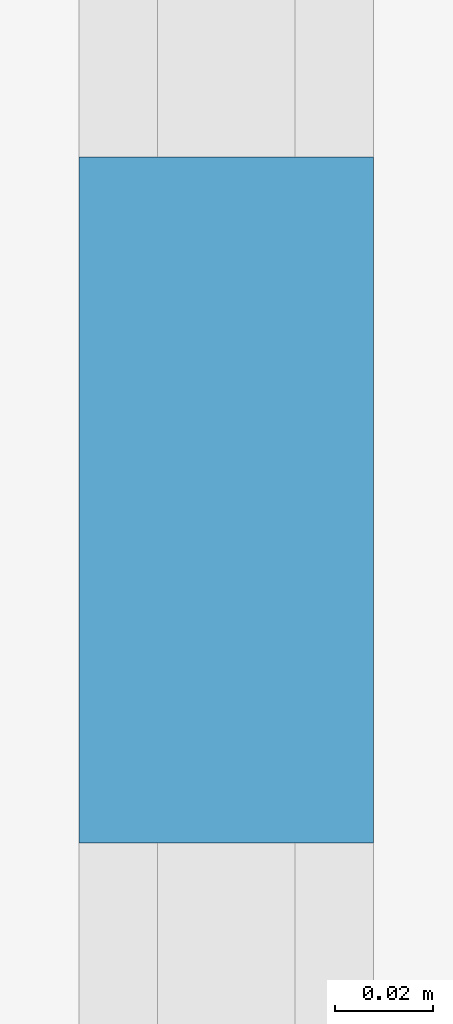
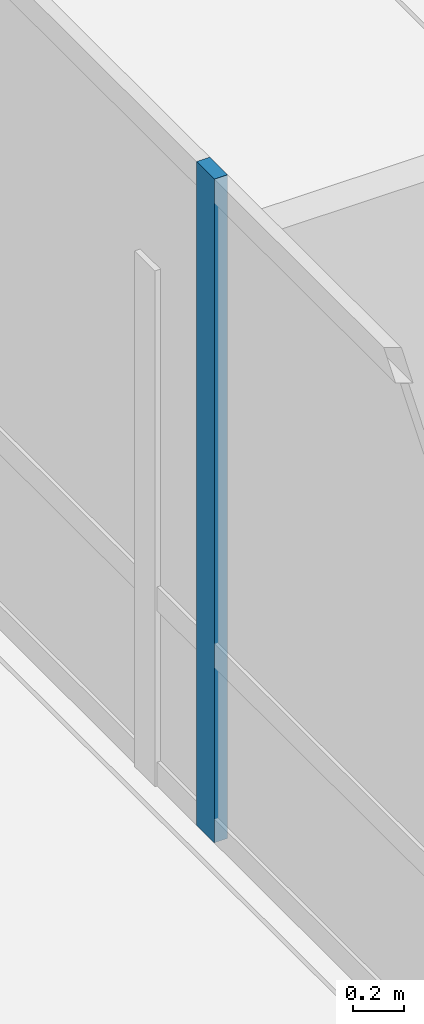
# One storey, part 4 of 25: 1 member, 1 element without a shape of its own.
"""IFC4 building model written with IfcOpenShell, lengths in metres."""

import ifcopenshell
import ifcopenshell.guid

model = None  # the IFC model being written
_history = None  # IfcOwnerHistory: only IFC2X3 demands one
_inside = {}  # id of a spatial element -> (the spatial element, [elements in it])
_under = {}  # id of a project, library or spatial element -> (it, [spatial elements below it])
_declared = {}  # id of a project -> (the project, [libraries it declares])
_typed = {}  # id of a type object -> (the type object, [elements of that type])
_made_of = {}  # id of a material, layer set ... -> (it, [elements and type objects made of it])


def new_model(schema):
    """Start an empty IFC model of exactly this schema.

    Asked for "IFC4X3", IfcOpenShell would pick the latest addendum, in which some entities
    have other attributes; the version numbers below select the first issue.
    IFC2X3 requires an IfcOwnerHistory on every rooted entity: one is made here for all.
    """
    global model, _history
    if schema == "IFC4X3":
        model = ifcopenshell.file(schema_version=(4, 3, 0, 0))
    else:
        model = ifcopenshell.file(schema=schema)
    _inside.clear()
    _under.clear()
    _declared.clear()
    _typed.clear()
    _made_of.clear()
    _history = None
    if model.schema == "IFC2X3":
        org = make("IfcOrganization", Name="unknown")
        user = make(
            "IfcPersonAndOrganization",
            ThePerson=make("IfcPerson", FamilyName="unknown"),
            TheOrganization=org,
        )
        app = make(
            "IfcApplication",
            ApplicationDeveloper=org,
            Version="unknown",
            ApplicationFullName="unknown",
            ApplicationIdentifier="unknown",
        )
        _history = make(
            "IfcOwnerHistory",
            OwningUser=user,
            OwningApplication=app,
            ChangeAction="ADDED",
            CreationDate=0,
        )
    return model


def make(cls, **values):
    """One entity of the class cls with the attributes given. An attribute that is None is left unset."""
    return model.create_entity(
        cls, **{name: value for name, value in values.items() if value is not None}
    )


def rooted(cls, **values):
    """An entity with a GlobalId (a new one), such as an element, a storey or a relation."""
    return make(cls, GlobalId=ifcopenshell.guid.new(), OwnerHistory=_history, **values)


def si_unit(unit_type, name, prefix=None):
    """IfcSIUnit, for example si_unit("LENGTHUNIT", "METRE", prefix="MILLI")."""
    return make("IfcSIUnit", UnitType=unit_type, Prefix=prefix, Name=name)


def assignment(units):
    """IfcUnitAssignment: the units of a project."""
    return None if units is None else make("IfcUnitAssignment", Units=units)


def point(xyz):
    """IfcCartesianPoint."""
    return None if xyz is None else make("IfcCartesianPoint", Coordinates=xyz)


def direction(xyz):
    """IfcDirection."""
    return None if xyz is None else make("IfcDirection", DirectionRatios=xyz)


def frame(location, z_axis=None, x_axis=None):
    """IfcAxis2Placement3D, a coordinate frame: its origin and axes. An axis left out is left unset."""
    return make(
        "IfcAxis2Placement3D",
        Location=point(location),
        Axis=direction(z_axis),
        RefDirection=direction(x_axis),
    )


def frame_2d(location, x_axis=None):
    """IfcAxis2Placement2D, a coordinate frame in the plane: its origin and x axis."""
    return make(
        "IfcAxis2Placement2D", Location=point(location), RefDirection=direction(x_axis)
    )


def origin():
    """The frame at (0, 0, 0) with its axes left unset."""
    return frame((0.0, 0.0, 0.0))


def origin_2d():
    """The frame at (0, 0) in the plane with its x axis left unset."""
    return frame_2d((0.0, 0.0))


def place(relative_to, where):
    """IfcLocalPlacement: puts the frame where relative to a parent placement (None: the world)."""
    return make(
        "IfcLocalPlacement", PlacementRelTo=relative_to, RelativePlacement=where
    )


def context(
    kind, dimensions, precision=None, world=None, true_north=None, identifier=None
):
    """IfcGeometricRepresentationContext, for example the 3D "Model" context."""
    return make(
        "IfcGeometricRepresentationContext",
        ContextIdentifier=identifier,
        ContextType=kind,
        CoordinateSpaceDimension=dimensions,
        Precision=precision,
        WorldCoordinateSystem=world,
        TrueNorth=true_north,
    )


def subcontext(parent, identifier, kind, view, scale=None):
    """IfcGeometricRepresentationSubContext, for example "Body" below "Model"."""
    return make(
        "IfcGeometricRepresentationSubContext",
        ContextIdentifier=identifier,
        ContextType=kind,
        ParentContext=parent,
        TargetScale=scale,
        TargetView=view,
    )


def project(units=None, contexts=None):
    """IfcProject with its units and contexts."""
    return rooted(
        "IfcProject",
        Name="project",
        RepresentationContexts=contexts,
        UnitsInContext=assignment(units),
    )


def spatial(cls, under=None, at=None, **own):
    """A site, building, storey or space (cls), placed at a placement, below another one or the project."""
    s = rooted(cls, ObjectPlacement=at, **own)
    if under is not None:
        _under.setdefault(under.id(), (under, []))[1].append(s)
    return s


def profile(cls, at=None, kind="AREA", **sizes):
    """A parametric profile (cls). Its sizes go by their IFC names, for example OverallWidth=200.0."""
    return make(cls, ProfileType=kind, Position=at, **sizes)


def rectangle(**sizes):
    """IfcRectangleProfileDef."""
    return profile("IfcRectangleProfileDef", **sizes)


def extrude(swept, where, along, depth):
    """IfcExtrudedAreaSolid: the profile swept, set in the frame where, extruded along a direction by depth."""
    return make(
        "IfcExtrudedAreaSolid",
        SweptArea=swept,
        Position=where,
        ExtrudedDirection=direction(along),
        Depth=depth,
    )


def shape(context_of_items, identifier, shape_type, items):
    """IfcShapeRepresentation: the items that make up one representation, for example the "Body"."""
    return make(
        "IfcShapeRepresentation",
        ContextOfItems=context_of_items,
        RepresentationIdentifier=identifier,
        RepresentationType=shape_type,
        Items=items,
    )


def material(Name=None, Category=None):
    """IfcMaterial."""
    return make("IfcMaterial", Name=Name, Category=Category)


def material_profile(
    of_material, cross_section, Name=None, Category=None, Priority=None
):
    """IfcMaterialProfile: a cross section and its material."""
    return make(
        "IfcMaterialProfile",
        Name=Name,
        Material=of_material,
        Profile=cross_section,
        Priority=Priority,
        Category=Category,
    )


def profile_set(profiles, Name=None, composite=None):
    """IfcMaterialProfileSet."""
    return make(
        "IfcMaterialProfileSet",
        Name=Name,
        MaterialProfiles=profiles,
        CompositeProfile=composite,
    )


def made_of(thing, what):
    """Note that an element or type object is made of a material, layer set ...; save() writes the relation."""
    if what is not None:
        _made_of.setdefault(what.id(), (what, []))[1].append(thing)
    return thing


def type_object(cls, material=None, **own):
    """A type object (cls), such as IfcWallType, which elements share."""
    return made_of(rooted(cls, **own), material)


def element(
    cls,
    number,
    at=None,
    inside=None,
    cuts=None,
    type_object=None,
    material=None,
    context=None,
    identifier="Body",
    shape_type=None,
    held_by="IfcProductDefinitionShape",
    body=None,
    shapes=None,
    **own,
):
    """One element of the class cls, such as IfcWall. Its Tag is "e" and its number.

    at: its placement. inside: the storey or other place that contains it. cuts: it is an
    opening in that element (IfcRelVoidsElement). A single representation is given by context,
    identifier, shape_type and body (its items); several are given by shapes. held_by: the class
    of the entity that holds the representations. save() writes the other relations.
    """
    e = rooted(cls, Tag="e%d" % number, ObjectPlacement=at, **own)
    if body is not None:
        shapes = [shape(context, identifier, shape_type, body)]
    if shapes is not None:
        e.Representation = make(held_by, Representations=shapes)
    if inside is not None:
        _inside.setdefault(inside.id(), (inside, []))[1].append(e)
    if cuts is not None:
        rooted(
            "IfcRelVoidsElement", RelatingBuildingElement=cuts, RelatedOpeningElement=e
        )
    if type_object is not None:
        _typed.setdefault(type_object.id(), (type_object, []))[1].append(e)
    return made_of(e, material)


def aggregate(whole, parts):
    """IfcRelAggregates: a whole, such as a stair, and the parts it consists of."""
    return rooted("IfcRelAggregates", RelatingObject=whole, RelatedObjects=parts)


def save(model, path):
    """Write the relations noted so far, then the file.

    IfcRelAggregates (storeys below a building ...), IfcRelContainedInSpatialStructure (elements
    in a storey), IfcRelDefinesByType, IfcRelAssociatesMaterial and IfcRelDeclares: one each for
    every whole, place, type object, material and project.
    """
    for whole, parts in _under.values():
        aggregate(whole, parts)
    for where, things in _inside.values():
        rooted(
            "IfcRelContainedInSpatialStructure",
            RelatedElements=things,
            RelatingStructure=where,
        )
    for kind, things in _typed.values():
        rooted("IfcRelDefinesByType", RelatedObjects=things, RelatingType=kind)
    for what, things in _made_of.values():
        rooted("IfcRelAssociatesMaterial", RelatedObjects=things, RelatingMaterial=what)
    for by, libraries in _declared.values():
        rooted("IfcRelDeclares", RelatingContext=by, RelatedDefinitions=libraries)
    model.write(path)


model = new_model("IFC4")

# Units and contexts
model_context = context("Model", 3, precision=1e-05, world=origin(), true_north=direction((0.0, 1.0)))
body_context = subcontext(model_context, "Body", "Model", "MODEL_VIEW")
ifc_project = project(units=[si_unit("LENGTHUNIT", "METRE"), si_unit("AREAUNIT", "SQUARE_METRE"), si_unit("VOLUMEUNIT", "CUBIC_METRE"), si_unit("PLANEANGLEUNIT", "RADIAN"), si_unit("MASSUNIT", "GRAM", prefix="KILO")], contexts=[model_context])

# Site, building, storey
site_placement = place(None, origin())
site = spatial("IfcSite", under=ifc_project, at=site_placement, CompositionType="ELEMENT")
building_placement = place(site_placement, origin())
building = spatial("IfcBuilding", under=site, at=building_placement, Name="Solmavex Isthmus Hotel", CompositionType="ELEMENT")
storey_placement = place(building_placement, frame((0.0, 0.0, 26.39990234375)))
storey = spatial("IfcBuildingStorey", under=building, at=storey_placement, Name="L06", CompositionType="ELEMENT", Elevation=26.39990234375)

# Curtain wall, member
ifc_material = material(Name="Aluminium alloy 6063-T6", Category="aluminium")
curtain_wall_type = type_object("IfcCurtainWallType", Name="CW-SYS-06", PredefinedType="NOTDEFINED", material=ifc_material)
curtain_wall_placement = place(storey_placement, origin())
curtain_wall = element("IfcCurtainWall", 1, at=curtain_wall_placement, inside=storey, type_object=curtain_wall_type, Name="Stick Curtain Wall CWL-L06-W1", PredefinedType="NOTDEFINED")
ifc_material_profile = material_profile(ifc_material, rectangle(XDim=0.06005859375, YDim=0.139892578125, at=origin_2d()), Name="CWM-60X140")
ifc_profile_set = profile_set([ifc_material_profile], Name="Aluminium alloy 6063-T6")
member_type = type_object("IfcMemberType", Name="CW-SYS-06-MUL", PredefinedType="MULLION", material=ifc_profile_set)
member_placement = place(storey_placement, frame((-29.8798828125, -3.659912109375, 0.0), z_axis=(0.0, 0.0, 1.0), x_axis=(-1.0, 0.0, 0.0)))
member = element("IfcMember", 2, at=member_placement, type_object=member_type, Name="CW-06 mullion 3", PredefinedType="MULLION", context=body_context, shape_type="SweptSolid", body=[
    extrude(rectangle(XDim=0.06005859375, YDim=0.139892578125, at=origin_2d()), origin(), (0.0, 0.0, 1.0), 3.190185546875),
])
aggregate(curtain_wall, [member])

save(model, "model.ifc")
